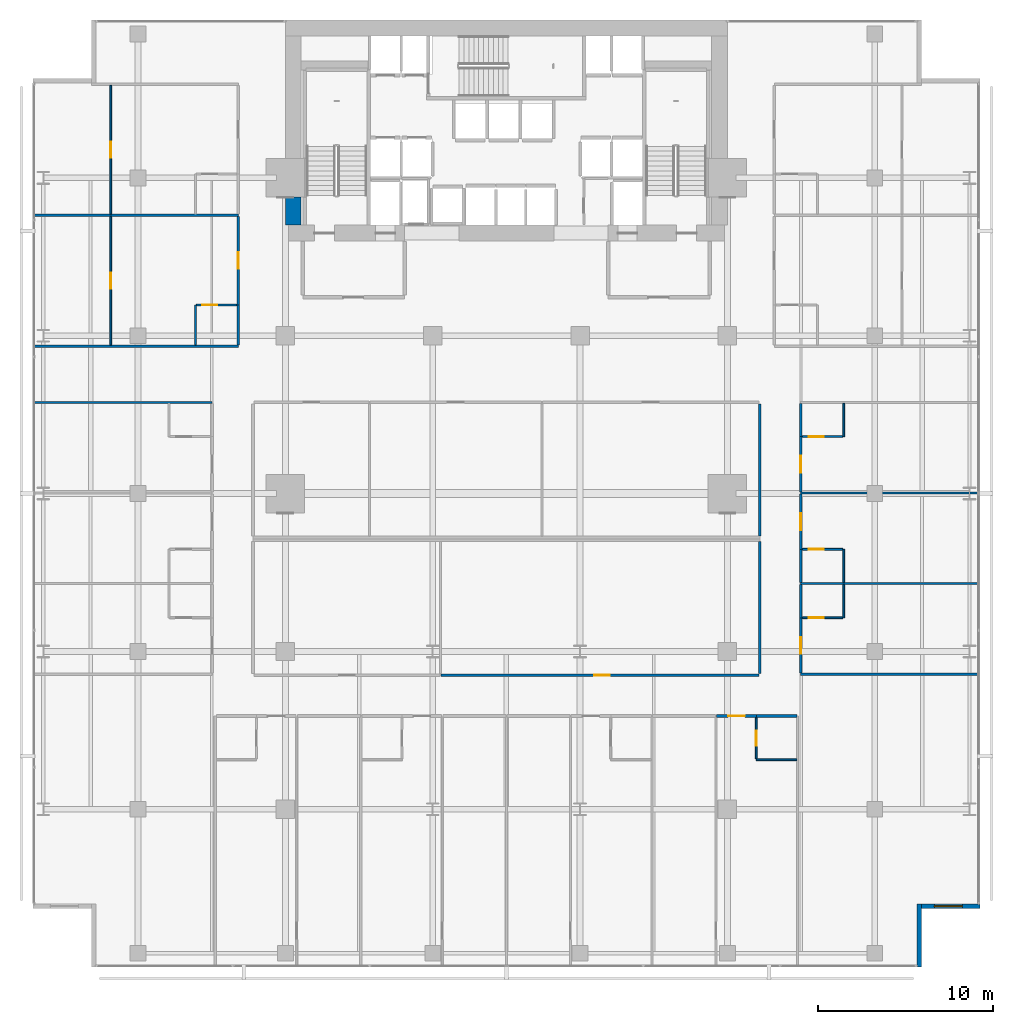
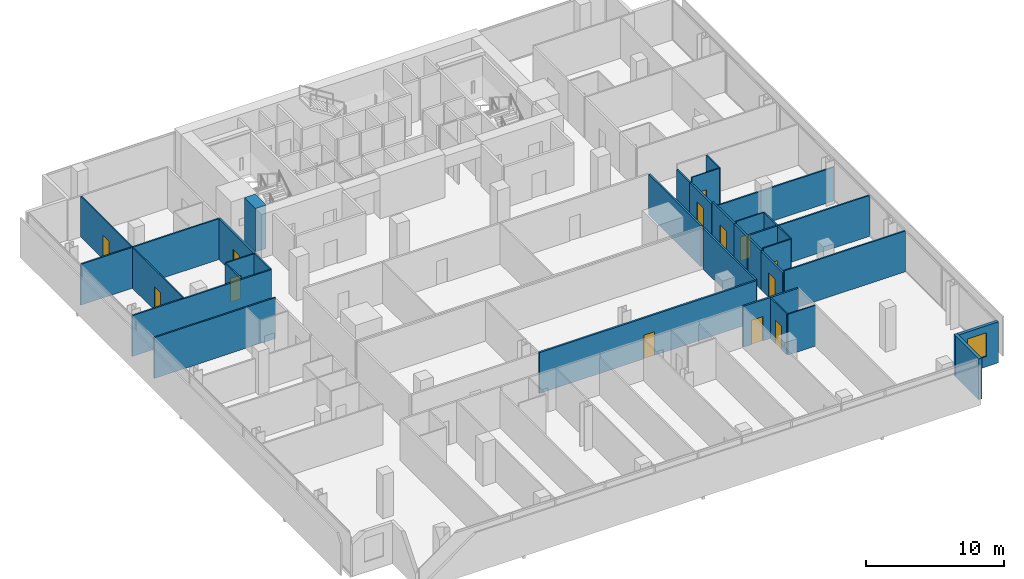
# One storey, part 34 of 39: 34 walls, 13 doors, 1 window, 14 openings.
"""IFC4 building model written with IfcOpenShell, lengths in metres."""

from ifc_helpers import new_model, si_unit, direction, frame, frame_2d, origin, place, context, subcontext, project, spatial, rectangle, extrude, material, layer, layer_set, type_object, element, fill, save


model = new_model("IFC4")

# Units and contexts
model_context = context("Model", 3, precision=1e-05, world=origin(), true_north=direction((0.0, 1.0)))
body_context = subcontext(model_context, "Body", "Model", "MODEL_VIEW")
ifc_project = project(units=[si_unit("LENGTHUNIT", "METRE"), si_unit("AREAUNIT", "SQUARE_METRE"), si_unit("VOLUMEUNIT", "CUBIC_METRE"), si_unit("PLANEANGLEUNIT", "RADIAN"), si_unit("MASSUNIT", "GRAM", prefix="KILO")], contexts=[model_context])

# Site, building, storey
site_placement = place(None, origin())
site = spatial("IfcSite", under=ifc_project, at=site_placement, CompositionType="ELEMENT")
building_placement = place(site_placement, origin())
building = spatial("IfcBuilding", under=site, at=building_placement, Name="Maruvema Waterfront Hotel and Observation Tower", CompositionType="ELEMENT")
storey_placement = place(building_placement, frame((0.0, 0.0, 46.199951171875)))
storey = spatial("IfcBuildingStorey", under=building, at=storey_placement, Name="L10", CompositionType="ELEMENT", Elevation=46.199951171875)

# Walls
ifc_material_1 = material(Name="Twin-stud acoustic gypsum drywall", Category="gypsum")
ifc_layer_1 = layer(ifc_material_1, 0.14990234375, Name="Acoustic Corridor and Suite Demising Wall 150 mm")
ifc_layer_set_1 = layer_set([ifc_layer_1], Name="Twin-stud acoustic gypsum drywall")
wall_type_1 = type_object("IfcWallType", Name="Acoustic Corridor and Suite Demising Wall 150 mm", PredefinedType="PARTITIONING", material=ifc_layer_set_1)
wall_1_placement = place(storey_placement, frame((52.25, 24.580078125, 0.0), z_axis=(0.0, 0.0, 1.0), x_axis=(0.0, 1.0, 0.0)))
element("IfcWall", 1, at=wall_1_placement, inside=storey, type_object=wall_type_1, Name="L10 L10-INTN East Wall 014", PredefinedType="PARTITIONING", context=body_context, shape_type="SweptSolid", body=[
    extrude(rectangle(XDim=7.5400390625, YDim=0.14990234375, at=frame_2d((3.77001953125, 0.0))), origin(), (0.0, 0.0, 1.0), 3.610107421875),
])
wall_2_placement = place(storey_placement, frame((52.25, 16.72998046875, 0.0), z_axis=(0.0, 0.0, 1.0), x_axis=(0.0, 1.0, 0.0)))
element("IfcWall", 2, at=wall_2_placement, inside=storey, type_object=wall_type_1, Name="L10 L10-INTS East Wall 022", PredefinedType="PARTITIONING", context=body_context, shape_type="SweptSolid", body=[
    extrude(rectangle(XDim=7.530029296875, YDim=0.14990234375, at=frame_2d((3.76513671875, 0.0))), origin(), (0.0, 0.0, 1.0), 3.610107421875),
])

# Wall, opening, door
wall_3_placement = place(storey_placement, frame((34.072998046875, 16.64990234375, 0.0), z_axis=(0.0, 0.0, 1.0), x_axis=(1.0, 0.0, 0.0)))
wall_3 = element("IfcWall", 3, at=wall_3_placement, inside=storey, type_object=wall_type_1, Name="L10 L10-INTS Front 2 025", PredefinedType="PARTITIONING", context=body_context, shape_type="SweptSolid", body=[
    extrude(rectangle(XDim=18.116943359375, YDim=0.14990234375, at=frame_2d((9.05859375, 0.0))), origin(), (0.0, 0.0, 1.0), 3.610107421875),
])
opening_1_placement = place(wall_3_placement, frame((8.728515625, 0.0, 0.0)))
opening_1 = element("IfcOpeningElement", 4, at=opening_1_placement, cuts=wall_3, Name="Opening DR-090", PredefinedType="OPENING", context=body_context, shape_type="SweptSolid", body=[
    extrude(rectangle(XDim=0.89990234375, YDim=2.10009765625, at=frame_2d((0.449951171875, 1.050048828125))), frame((0.0, 0.0849609375, 0.0), z_axis=(0.0, -1.0, 0.0), x_axis=(1.0, 0.0, 0.0)), (0.0, 0.0, 1.0), 0.169921875),
])
ifc_material_2 = material(Name="Solid-core lacquered timber leaf", Category="wood")
door_type_1 = type_object("IfcDoorType", Name="Accessible Toilet and Room Door 900x2100 mm", OperationType="NOTDEFINED", PredefinedType="DOOR", material=ifc_material_2)
door_1_placement = place(opening_1_placement, frame((0.89990234375, 0.0, 0.0), z_axis=(0.0, 0.0, 1.0), x_axis=(-1.0, 0.0, 0.0)))
door_1 = element("IfcDoor", 5, at=door_1_placement, inside=storey, type_object=door_type_1, Name="L10 Housekeeping Linen Room Door", OperationType="SINGLE_SWING_LEFT", OverallHeight=2.10009765625, OverallWidth=0.89990234375, PredefinedType="DOOR", context=body_context, shape_type="SweptSolid", body=[
    extrude(rectangle(XDim=0.89990234375, YDim=2.10009765625, at=frame_2d((0.449951171875, 1.050048828125))), frame((0.0, 0.02490234375, 0.0), z_axis=(0.0, -1.0, 0.0), x_axis=(1.0, 0.0, 0.0)), (0.0, 0.0, 1.0), 0.050048828125),
])
fill(opening_1, door_1)

# Wall
wall_4_placement = place(storey_placement, frame((52.050048828125, 14.320068359375, 0.0), z_axis=(0.0, 0.0, 1.0), x_axis=(1.0, 0.0, 0.0)))
element("IfcWall", 6, at=wall_4_placement, inside=storey, type_object=wall_type_1, Name="L10 Bath L10-S4 Back Wall 049", PredefinedType="PARTITIONING", context=body_context, shape_type="SweptSolid", body=[
    extrude(rectangle(XDim=2.329833984375, YDim=0.14990234375, at=frame_2d((1.1650390625, 0.0))), origin(), (0.0, 0.0, 1.0), 3.610107421875),
])

# Wall, opening, door
wall_5_placement = place(storey_placement, frame((49.7919921875, 14.320068359375, 0.0), z_axis=(0.0, 0.0, 1.0), x_axis=(1.0, 0.0, 0.0)))
wall_5 = element("IfcWall", 7, at=wall_5_placement, inside=storey, type_object=wall_type_1, Name="L10 Unit L10-S4 Corridor Wall 053", PredefinedType="PARTITIONING", context=body_context, shape_type="SweptSolid", body=[
    extrude(rectangle(XDim=2.258056640625, YDim=0.14990234375, at=frame_2d((1.12890625, 0.0))), origin(), (0.0, 0.0, 1.0), 3.610107421875),
])
opening_2_placement = place(wall_5_placement, frame((0.654052734375, 0.0, 0.0)))
opening_2 = element("IfcOpeningElement", 8, at=opening_2_placement, cuts=wall_5, Name="Opening DR-095", PredefinedType="OPENING", context=body_context, shape_type="SweptSolid", body=[
    extrude(rectangle(XDim=0.949951171875, YDim=2.14990234375, at=frame_2d((0.47509765625, 1.074951171875))), frame((0.0, 0.0849609375, 0.0), z_axis=(0.0, -1.0, 0.0), x_axis=(1.0, 0.0, 0.0)), (0.0, 0.0, 1.0), 0.169921875),
])
ifc_material_3 = material(Name="Acoustic solid-core hardwood timber leaf", Category="wood")
door_type_2 = type_object("IfcDoorType", Name="Guestroom Entrance Fire Door 950x2150 mm", OperationType="NOTDEFINED", PredefinedType="DOOR", material=ifc_material_3)
door_2_placement = place(opening_2_placement, frame((0.949951171875, 0.0, 0.0), z_axis=(0.0, 0.0, 1.0), x_axis=(-1.0, 0.0, 0.0)))
door_2 = element("IfcDoor", 9, at=door_2_placement, inside=storey, type_object=door_type_2, Name="L10 Unit L10-S4 Entrance Door", OperationType="SINGLE_SWING_RIGHT", OverallHeight=2.14990234375, OverallWidth=0.949951171875, PredefinedType="DOOR", context=body_context, shape_type="SweptSolid", body=[
    extrude(rectangle(XDim=0.949951171875, YDim=2.14990234375, at=frame_2d((0.47509765625, 1.074951171875))), frame((0.0, 0.02490234375, 0.0), z_axis=(0.0, -1.0, 0.0), x_axis=(1.0, 0.0, 0.0)), (0.0, 0.0, 1.0), 0.050048828125),
])
fill(opening_2, door_2)

wall_6_placement = place(storey_placement, frame((54.580078125, 16.760009765625, 0.0), z_axis=(0.0, 0.0, 1.0), x_axis=(0.0, 1.0, 0.0)))
wall_6 = element("IfcWall", 10, at=wall_6_placement, inside=storey, type_object=wall_type_1, Name="L10 Room L10-E1 Corridor Wall 063", PredefinedType="PARTITIONING", context=body_context, shape_type="SweptSolid", body=[
    extrude(rectangle(XDim=3.159912109375, YDim=0.14990234375, at=frame_2d((1.580078125, 0.0))), origin(), (0.0, 0.0, 1.0), 3.403076171875),
])
opening_3_placement = place(wall_6_placement, frame((1.10498046875, 0.0, 0.0)))
opening_3 = element("IfcOpeningElement", 11, at=opening_3_placement, cuts=wall_6, Name="Opening DR-095", PredefinedType="OPENING", context=body_context, shape_type="SweptSolid", body=[
    extrude(rectangle(XDim=0.949951171875, YDim=2.14990234375, at=frame_2d((0.47509765625, 1.074951171875))), frame((0.0, 0.0849609375, 0.0), z_axis=(0.0, -1.0, 0.0), x_axis=(1.0, 0.0, 0.0)), (0.0, 0.0, 1.0), 0.169921875),
])
door_3_placement = place(opening_3_placement, frame((0.949951171875, 0.0, 0.0), z_axis=(0.0, 0.0, 1.0), x_axis=(-1.0, 0.0, 0.0)))
door_3 = element("IfcDoor", 12, at=door_3_placement, inside=storey, type_object=door_type_2, Name="L10 Room L10-E1 Entrance Door", OperationType="SINGLE_SWING_LEFT", OverallHeight=2.14990234375, OverallWidth=0.949951171875, PredefinedType="DOOR", context=body_context, shape_type="SweptSolid", body=[
    extrude(rectangle(XDim=0.949951171875, YDim=2.14990234375, at=frame_2d((0.47509765625, 1.074951171875))), frame((0.0, 0.02490234375, 0.0), z_axis=(0.0, -1.0, 0.0), x_axis=(1.0, 0.0, 0.0)), (0.0, 0.0, 1.0), 0.050048828125),
])
fill(opening_3, door_3)

# Walls
for number, where, z_axis, x_axis, name in (
    (13, (54.580078125, 19.919921875, 0.0), (0.0, 0.0, 1.0), (0.0, 1.0, 0.0), "L10 Bath L10-E1 Wall 064"),
    (14, (54.580078125, 21.929931640625, 0.0), (0.0, 0.0, 1.0), (0.0, 1.0, 0.0), "L10 Bath L10-E2 Wall 073"),
):
    element("IfcWall", number, at=place(storey_placement, frame(where, z_axis=z_axis, x_axis=x_axis)), inside=storey, type_object=wall_type_1, Name=name, PredefinedType="PARTITIONING", context=body_context, shape_type="SweptSolid", body=[
        extrude(rectangle(XDim=1.89013671875, YDim=0.14990234375, at=frame_2d((0.945068359375, 0.0))), origin(), (0.0, 0.0, 1.0), 3.45703125),
    ])

# Wall, opening, door
wall_7_placement = place(storey_placement, frame((54.580078125, 23.820068359375, 0.0), z_axis=(0.0, 0.0, 1.0), x_axis=(0.0, 1.0, 0.0)))
wall_7 = element("IfcWall", 15, at=wall_7_placement, inside=storey, type_object=wall_type_1, Name="L10 Room L10-E2 Corridor Wall 074", PredefinedType="PARTITIONING", context=body_context, shape_type="SweptSolid", body=[
    extrude(rectangle(XDim=3.14990234375, YDim=0.14990234375, at=frame_2d((1.574951171875, 0.0))), origin(), (0.0, 0.0, 1.0), 3.45703125),
])
opening_4_placement = place(wall_7_placement, frame((1.10009765625, 0.0, 0.0)))
opening_4 = element("IfcOpeningElement", 16, at=opening_4_placement, cuts=wall_7, Name="Opening DR-095", PredefinedType="OPENING", context=body_context, shape_type="SweptSolid", body=[
    extrude(rectangle(XDim=0.949951171875, YDim=2.14990234375, at=frame_2d((0.47509765625, 1.074951171875))), frame((0.0, 0.0849609375, 0.0), z_axis=(0.0, -1.0, 0.0), x_axis=(1.0, 0.0, 0.0)), (0.0, 0.0, 1.0), 0.169921875),
])
door_4_placement = place(opening_4_placement, frame((0.949951171875, 0.0, 0.0), z_axis=(0.0, 0.0, 1.0), x_axis=(-1.0, 0.0, 0.0)))
door_4 = element("IfcDoor", 17, at=door_4_placement, inside=storey, type_object=door_type_2, Name="L10 Room L10-E2 Entrance Door", OperationType="SINGLE_SWING_LEFT", OverallHeight=2.14990234375, OverallWidth=0.949951171875, PredefinedType="DOOR", context=body_context, shape_type="SweptSolid", body=[
    extrude(rectangle(XDim=0.949951171875, YDim=2.14990234375, at=frame_2d((0.47509765625, 1.074951171875))), frame((0.0, 0.02490234375, 0.0), z_axis=(0.0, -1.0, 0.0), x_axis=(1.0, 0.0, 0.0)), (0.0, 0.0, 1.0), 0.050048828125),
])
fill(opening_4, door_4)

wall_8_placement = place(storey_placement, frame((54.580078125, 27.090087890625, 0.0), z_axis=(0.0, 0.0, 1.0), x_axis=(0.0, 1.0, 0.0)))
wall_8 = element("IfcWall", 18, at=wall_8_placement, inside=storey, type_object=wall_type_1, Name="L10 Room L10-E3 Corridor Wall 083", PredefinedType="PARTITIONING", context=body_context, shape_type="SweptSolid", body=[
    extrude(rectangle(XDim=3.159912109375, YDim=0.14990234375, at=frame_2d((1.580078125, 0.0))), origin(), (0.0, 0.0, 1.0), 3.20703125),
])
opening_5_placement = place(wall_8_placement, frame((1.10498046875, 0.0, 0.0)))
opening_5 = element("IfcOpeningElement", 19, at=opening_5_placement, cuts=wall_8, Name="Opening DR-095", PredefinedType="OPENING", context=body_context, shape_type="SweptSolid", body=[
    extrude(rectangle(XDim=0.949951171875, YDim=2.14990234375, at=frame_2d((0.47509765625, 1.074951171875))), frame((0.0, 0.0849609375, 0.0), z_axis=(0.0, -1.0, 0.0), x_axis=(1.0, 0.0, 0.0)), (0.0, 0.0, 1.0), 0.169921875),
])
door_5_placement = place(opening_5_placement, frame((0.949951171875, 0.0, 0.0), z_axis=(0.0, 0.0, 1.0), x_axis=(-1.0, 0.0, 0.0)))
door_5 = element("IfcDoor", 20, at=door_5_placement, inside=storey, type_object=door_type_2, Name="L10 Room L10-E3 Entrance Door", OperationType="SINGLE_SWING_LEFT", OverallHeight=2.14990234375, OverallWidth=0.949951171875, PredefinedType="DOOR", context=body_context, shape_type="SweptSolid", body=[
    extrude(rectangle(XDim=0.949951171875, YDim=2.14990234375, at=frame_2d((0.47509765625, 1.074951171875))), frame((0.0, 0.02490234375, 0.0), z_axis=(0.0, -1.0, 0.0), x_axis=(1.0, 0.0, 0.0)), (0.0, 0.0, 1.0), 0.050048828125),
])
fill(opening_5, door_5)

# Walls
wall_9_placement = place(storey_placement, frame((54.580078125, 30.25, 0.0), z_axis=(0.0, 0.0, 1.0), x_axis=(0.0, 1.0, 0.0)))
element("IfcWall", 21, at=wall_9_placement, inside=storey, type_object=wall_type_1, Name="L10 Bath L10-E3 Wall 084", PredefinedType="PARTITIONING", context=body_context, shape_type="SweptSolid", body=[
    extrude(rectangle(XDim=1.889892578125, YDim=0.14990234375, at=frame_2d((0.94482421875, 0.0))), origin(), (0.0, 0.0, 1.0), 3.20703125),
])
wall_10_placement = place(storey_placement, frame((22.52001953125, 35.4599609375, 0.0), z_axis=(0.0, 0.0, 1.0), x_axis=(0.0, 1.0, 0.0)))
element("IfcWall", 22, at=wall_10_placement, inside=storey, type_object=wall_type_1, Name="L10 Bath L10-NW1 Wall 091", PredefinedType="PARTITIONING", context=body_context, shape_type="SweptSolid", body=[
    extrude(rectangle(XDim=2.2900390625, YDim=0.14990234375, at=frame_2d((1.14501953125, 0.0))), origin(), (0.0, 0.0, 1.0), 3.610107421875),
])

# Wall, opening, door
wall_11_placement = place(storey_placement, frame((22.52001953125, 37.75, 0.0), z_axis=(0.0, 0.0, 1.0), x_axis=(0.0, 1.0, 0.0)))
wall_11 = element("IfcWall", 23, at=wall_11_placement, inside=storey, type_object=wall_type_1, Name="L10 Room L10-NW1 Corridor Wall 092", PredefinedType="PARTITIONING", context=body_context, shape_type="SweptSolid", body=[
    extrude(rectangle(XDim=5.05859375, YDim=0.14990234375, at=frame_2d((2.529296875, 0.0))), origin(), (0.0, 0.0, 1.0), 3.610107421875),
])
opening_6_placement = place(wall_11_placement, frame((2.054443359375, 0.0, 0.0)))
opening_6 = element("IfcOpeningElement", 24, at=opening_6_placement, cuts=wall_11, Name="Opening DR-095", PredefinedType="OPENING", context=body_context, shape_type="SweptSolid", body=[
    extrude(rectangle(XDim=0.949951171875, YDim=2.14990234375, at=frame_2d((0.47509765625, 1.074951171875))), frame((0.0, 0.0849609375, 0.0), z_axis=(0.0, -1.0, 0.0), x_axis=(1.0, 0.0, 0.0)), (0.0, 0.0, 1.0), 0.169921875),
])
door_6_placement = place(opening_6_placement, origin())
door_6 = element("IfcDoor", 25, at=door_6_placement, inside=storey, type_object=door_type_2, Name="L10 Room L10-NW1 Entrance Door", OperationType="SINGLE_SWING_LEFT", OverallHeight=2.14990234375, OverallWidth=0.949951171875, PredefinedType="DOOR", context=body_context, shape_type="SweptSolid", body=[
    extrude(rectangle(XDim=0.949951171875, YDim=2.14990234375, at=frame_2d((0.47509765625, 1.074951171875))), frame((0.0, 0.02490234375, 0.0), z_axis=(0.0, -1.0, 0.0), x_axis=(1.0, 0.0, 0.0)), (0.0, 0.0, 1.0), 0.050048828125),
])
fill(opening_6, door_6)

# Walls
ifc_material_4 = material(Name="Concrete C80/95", Category="concrete")
ifc_layer_2 = layer(ifc_material_4, 0.89990234375, Name="Core Shear Wall 900 mm")
ifc_layer_set_2 = layer_set([ifc_layer_2], Name="Concrete C80/95")
wall_type_2 = type_object("IfcWallType", Name="Core Shear Wall 900 mm", PredefinedType="SHEAR", material=ifc_layer_set_2)
wall_12_placement = place(storey_placement, frame((25.64990234375, 42.300048828125, 0.0), z_axis=(0.0, 0.0, 1.0), x_axis=(0.0, 1.0, 0.0)))
element("IfcWall", 26, at=wall_12_placement, inside=storey, type_object=wall_type_2, Name="L10 West-South Core Shear Wall", PredefinedType="SHEAR", context=body_context, shape_type="SweptSolid", body=[
    extrude(rectangle(XDim=1.599853515625, YDim=0.89990234375, at=frame_2d((0.7998046875, 0.0))), origin(), (0.0, 0.0, 1.0), 3.85009765625),
])
ifc_material_5 = material(Name="Moisture-resistant cement-board drywall", Category="gypsum")
ifc_layer_3 = layer(ifc_material_5, 0.10009765625, Name="En-Suite Moisture-Resistant Partition 100 mm")
ifc_layer_set_3 = layer_set([ifc_layer_3], Name="Moisture-resistant cement-board drywall")
wall_type_3 = type_object("IfcWallType", Name="En-Suite Moisture-Resistant Partition 100 mm", PredefinedType="PARTITIONING", material=ifc_layer_set_3)
wall_13_placement = place(storey_placement, frame((52.050048828125, 11.820068359375, 0.0), z_axis=(0.0, 0.0, 1.0), x_axis=(1.0, 0.0, 0.0)))
element("IfcWall", 27, at=wall_13_placement, inside=storey, type_object=wall_type_3, Name="L10 En-Suite L10-S4 South 050", PredefinedType="PARTITIONING", context=body_context, shape_type="SweptSolid", body=[
    extrude(rectangle(XDim=2.31005859375, YDim=0.10009765625, at=frame_2d((1.155029296875, 0.0))), origin(), (0.0, 0.0, 1.0), 3.610107421875),
])

# Wall, opening, door
wall_14_placement = place(storey_placement, frame((52.050048828125, 11.8798828125, 0.0), z_axis=(0.0, 0.0, 1.0), x_axis=(0.0, 1.0, 0.0)))
wall_14 = element("IfcWall", 28, at=wall_14_placement, inside=storey, type_object=wall_type_3, Name="L10 En-Suite L10-S4 West 051", PredefinedType="PARTITIONING", context=body_context, shape_type="SweptSolid", body=[
    extrude(rectangle(XDim=2.340087890625, YDim=0.10009765625, at=frame_2d((1.169921875, 0.0))), origin(), (0.0, 0.0, 1.0), 3.610107421875),
])
opening_7_placement = place(wall_14_placement, frame((0.7451171875, 0.0, 0.0)))
opening_7 = element("IfcOpeningElement", 29, at=opening_7_placement, cuts=wall_14, Name="Opening DR-085", PredefinedType="OPENING", context=body_context, shape_type="SweptSolid", body=[
    extrude(rectangle(XDim=0.85009765625, YDim=2.10009765625, at=frame_2d((0.425048828125, 1.050048828125))), frame((0.0, 0.06005859375, 0.0), z_axis=(0.0, -1.0, 0.0), x_axis=(1.0, 0.0, 0.0)), (0.0, 0.0, 1.0), 0.1201171875),
])
ifc_material_6 = material(Name="Moisture-resistant solid timber leaf", Category="wood")
door_type_3 = type_object("IfcDoorType", Name="En-Suite Bathroom Door 850x2100 mm", OperationType="NOTDEFINED", PredefinedType="DOOR", material=ifc_material_6)
door_7_placement = place(opening_7_placement, origin())
door_7 = element("IfcDoor", 30, at=door_7_placement, inside=storey, type_object=door_type_3, Name="L10 En-Suite L10-S4 Door", OperationType="SINGLE_SWING_LEFT", OverallHeight=2.10009765625, OverallWidth=0.85009765625, PredefinedType="DOOR", context=body_context, shape_type="SweptSolid", body=[
    extrude(rectangle(XDim=0.85009765625, YDim=2.10009765625, at=frame_2d((0.425048828125, 1.050048828125))), frame((0.0, 0.02490234375, 0.0), z_axis=(0.0, -1.0, 0.0), x_axis=(1.0, 0.0, 0.0)), (0.0, 0.0, 1.0), 0.050048828125),
])
fill(opening_7, door_7)

# Wall
wall_15_placement = place(storey_placement, frame((57.030029296875, 19.919921875, 0.0), z_axis=(0.0, 0.0, 1.0), x_axis=(0.0, 1.0, 0.0)))
element("IfcWall", 31, at=wall_15_placement, inside=storey, type_object=wall_type_3, Name="L10 En-Suite L10-E1 E 065", PredefinedType="PARTITIONING", context=body_context, shape_type="SweptSolid", body=[
    extrude(rectangle(XDim=1.89013671875, YDim=0.10009765625, at=frame_2d((0.945068359375, 0.0))), origin(), (0.0, 0.0, 1.0), 3.610107421875),
])

# Wall, opening, door
wall_16_placement = place(storey_placement, frame((54.679931640625, 19.919921875, 0.0), z_axis=(0.0, 0.0, 1.0), x_axis=(1.0, 0.0, 0.0)))
wall_16 = element("IfcWall", 32, at=wall_16_placement, inside=storey, type_object=wall_type_3, Name="L10 En-Suite L10-E1 S 066", PredefinedType="PARTITIONING", context=body_context, shape_type="SweptSolid", body=[
    extrude(rectangle(XDim=2.300048828125, YDim=0.10009765625, at=frame_2d((1.14990234375, 0.0))), origin(), (0.0, 0.0, 1.0), 3.610107421875),
])
opening_8_placement = place(wall_16_placement, frame((0.35009765625, 0.0, 0.0)))
opening_8 = element("IfcOpeningElement", 33, at=opening_8_placement, cuts=wall_16, Name="Opening DR-085", PredefinedType="OPENING", context=body_context, shape_type="SweptSolid", body=[
    extrude(rectangle(XDim=0.85009765625, YDim=2.10009765625, at=frame_2d((0.425048828125, 1.050048828125))), frame((0.0, 0.06005859375, 0.0), z_axis=(0.0, -1.0, 0.0), x_axis=(1.0, 0.0, 0.0)), (0.0, 0.0, 1.0), 0.1201171875),
])
door_8_placement = place(opening_8_placement, frame((0.85009765625, 0.0, 0.0), z_axis=(0.0, 0.0, 1.0), x_axis=(-1.0, 0.0, 0.0)))
door_8 = element("IfcDoor", 34, at=door_8_placement, inside=storey, type_object=door_type_3, Name="L10 En-Suite L10-E1 Door", OperationType="SINGLE_SWING_RIGHT", OverallHeight=2.10009765625, OverallWidth=0.85009765625, PredefinedType="DOOR", context=body_context, shape_type="SweptSolid", body=[
    extrude(rectangle(XDim=0.85009765625, YDim=2.10009765625, at=frame_2d((0.425048828125, 1.050048828125))), frame((0.0, 0.02490234375, 0.0), z_axis=(0.0, -1.0, 0.0), x_axis=(1.0, 0.0, 0.0)), (0.0, 0.0, 1.0), 0.050048828125),
])
fill(opening_8, door_8)

# Wall
wall_17_placement = place(storey_placement, frame((57.030029296875, 21.929931640625, 0.0), z_axis=(0.0, 0.0, 1.0), x_axis=(0.0, 1.0, 0.0)))
element("IfcWall", 35, at=wall_17_placement, inside=storey, type_object=wall_type_3, Name="L10 En-Suite L10-E2 E 075", PredefinedType="PARTITIONING", context=body_context, shape_type="SweptSolid", body=[
    extrude(rectangle(XDim=1.89013671875, YDim=0.10009765625, at=frame_2d((0.945068359375, 0.0))), origin(), (0.0, 0.0, 1.0), 3.610107421875),
])

# Wall, opening, door
wall_18_placement = place(storey_placement, frame((54.679931640625, 23.820068359375, 0.0), z_axis=(0.0, 0.0, 1.0), x_axis=(1.0, 0.0, 0.0)))
wall_18 = element("IfcWall", 36, at=wall_18_placement, inside=storey, type_object=wall_type_3, Name="L10 En-Suite L10-E2 N 076", PredefinedType="PARTITIONING", context=body_context, shape_type="SweptSolid", body=[
    extrude(rectangle(XDim=2.300048828125, YDim=0.10009765625, at=frame_2d((1.14990234375, 0.0))), origin(), (0.0, 0.0, 1.0), 3.610107421875),
])
opening_9_placement = place(wall_18_placement, frame((0.35009765625, 0.0, 0.0)))
opening_9 = element("IfcOpeningElement", 37, at=opening_9_placement, cuts=wall_18, Name="Opening DR-085", PredefinedType="OPENING", context=body_context, shape_type="SweptSolid", body=[
    extrude(rectangle(XDim=0.85009765625, YDim=2.10009765625, at=frame_2d((0.425048828125, 1.050048828125))), frame((0.0, 0.06005859375, 0.0), z_axis=(0.0, -1.0, 0.0), x_axis=(1.0, 0.0, 0.0)), (0.0, 0.0, 1.0), 0.1201171875),
])
door_9_placement = place(opening_9_placement, origin())
door_9 = element("IfcDoor", 38, at=door_9_placement, inside=storey, type_object=door_type_3, Name="L10 En-Suite L10-E2 Door", OperationType="SINGLE_SWING_RIGHT", OverallHeight=2.10009765625, OverallWidth=0.85009765625, PredefinedType="DOOR", context=body_context, shape_type="SweptSolid", body=[
    extrude(rectangle(XDim=0.85009765625, YDim=2.10009765625, at=frame_2d((0.425048828125, 1.050048828125))), frame((0.0, 0.02490234375, 0.0), z_axis=(0.0, -1.0, 0.0), x_axis=(1.0, 0.0, 0.0)), (0.0, 0.0, 1.0), 0.050048828125),
])
fill(opening_9, door_9)

# Wall
wall_19_placement = place(storey_placement, frame((57.030029296875, 30.25, 0.0), z_axis=(0.0, 0.0, 1.0), x_axis=(0.0, 1.0, 0.0)))
element("IfcWall", 39, at=wall_19_placement, inside=storey, type_object=wall_type_3, Name="L10 En-Suite L10-E3 E 085", PredefinedType="PARTITIONING", context=body_context, shape_type="SweptSolid", body=[
    extrude(rectangle(XDim=1.889892578125, YDim=0.10009765625, at=frame_2d((0.94482421875, 0.0))), origin(), (0.0, 0.0, 1.0), 3.610107421875),
])

# Wall, opening, door
wall_20_placement = place(storey_placement, frame((54.679931640625, 30.25, 0.0), z_axis=(0.0, 0.0, 1.0), x_axis=(1.0, 0.0, 0.0)))
wall_20 = element("IfcWall", 40, at=wall_20_placement, inside=storey, type_object=wall_type_3, Name="L10 En-Suite L10-E3 S 086", PredefinedType="PARTITIONING", context=body_context, shape_type="SweptSolid", body=[
    extrude(rectangle(XDim=2.300048828125, YDim=0.10009765625, at=frame_2d((1.14990234375, 0.0))), origin(), (0.0, 0.0, 1.0), 3.610107421875),
])
opening_10_placement = place(wall_20_placement, frame((0.35009765625, 0.0, 0.0)))
opening_10 = element("IfcOpeningElement", 41, at=opening_10_placement, cuts=wall_20, Name="Opening DR-085", PredefinedType="OPENING", context=body_context, shape_type="SweptSolid", body=[
    extrude(rectangle(XDim=0.85009765625, YDim=2.10009765625, at=frame_2d((0.425048828125, 1.050048828125))), frame((0.0, 0.06005859375, 0.0), z_axis=(0.0, -1.0, 0.0), x_axis=(1.0, 0.0, 0.0)), (0.0, 0.0, 1.0), 0.1201171875),
])
door_10_placement = place(opening_10_placement, frame((0.85009765625, 0.0, 0.0), z_axis=(0.0, 0.0, 1.0), x_axis=(-1.0, 0.0, 0.0)))
door_10 = element("IfcDoor", 42, at=door_10_placement, inside=storey, type_object=door_type_3, Name="L10 En-Suite L10-E3 Door", OperationType="SINGLE_SWING_RIGHT", OverallHeight=2.10009765625, OverallWidth=0.85009765625, PredefinedType="DOOR", context=body_context, shape_type="SweptSolid", body=[
    extrude(rectangle(XDim=0.85009765625, YDim=2.10009765625, at=frame_2d((0.425048828125, 1.050048828125))), frame((0.0, 0.02490234375, 0.0), z_axis=(0.0, -1.0, 0.0), x_axis=(1.0, 0.0, 0.0)), (0.0, 0.0, 1.0), 0.050048828125),
])
fill(opening_10, door_10)

# Wall
wall_21_placement = place(storey_placement, frame((20.070068359375, 35.4599609375, 0.0), z_axis=(0.0, 0.0, 1.0), x_axis=(0.0, 1.0, 0.0)))
element("IfcWall", 43, at=wall_21_placement, inside=storey, type_object=wall_type_3, Name="L10 En-Suite L10-NW1 W 093", PredefinedType="PARTITIONING", context=body_context, shape_type="SweptSolid", body=[
    extrude(rectangle(XDim=2.2900390625, YDim=0.10009765625, at=frame_2d((1.14501953125, 0.0))), origin(), (0.0, 0.0, 1.0), 3.610107421875),
])

# Wall, opening, door
wall_22_placement = place(storey_placement, frame((20.1201171875, 37.75, 0.0), z_axis=(0.0, 0.0, 1.0), x_axis=(1.0, 0.0, 0.0)))
wall_22 = element("IfcWall", 44, at=wall_22_placement, inside=storey, type_object=wall_type_3, Name="L10 En-Suite L10-NW1 N 094", PredefinedType="PARTITIONING", context=body_context, shape_type="SweptSolid", body=[
    extrude(rectangle(XDim=2.2998046875, YDim=0.10009765625, at=frame_2d((1.14990234375, 0.0))), origin(), (0.0, 0.0, 1.0), 3.610107421875),
])
opening_11_placement = place(wall_22_placement, frame((0.35009765625, 0.0, 0.0)))
opening_11 = element("IfcOpeningElement", 45, at=opening_11_placement, cuts=wall_22, Name="Opening DR-085", PredefinedType="OPENING", context=body_context, shape_type="SweptSolid", body=[
    extrude(rectangle(XDim=0.85009765625, YDim=2.10009765625, at=frame_2d((0.425048828125, 1.050048828125))), frame((0.0, 0.06005859375, 0.0), z_axis=(0.0, -1.0, 0.0), x_axis=(1.0, 0.0, 0.0)), (0.0, 0.0, 1.0), 0.1201171875),
])
door_11_placement = place(opening_11_placement, origin())
door_11 = element("IfcDoor", 46, at=door_11_placement, inside=storey, type_object=door_type_3, Name="L10 En-Suite L10-NW1 Door", OperationType="SINGLE_SWING_RIGHT", OverallHeight=2.10009765625, OverallWidth=0.85009765625, PredefinedType="DOOR", context=body_context, shape_type="SweptSolid", body=[
    extrude(rectangle(XDim=0.85009765625, YDim=2.10009765625, at=frame_2d((0.425048828125, 1.050048828125))), frame((0.0, 0.02490234375, 0.0), z_axis=(0.0, -1.0, 0.0), x_axis=(1.0, 0.0, 0.0)), (0.0, 0.0, 1.0), 0.050048828125),
])
fill(opening_11, door_11)

wall_23_placement = place(storey_placement, frame((15.24951171875, 35.4599609375, 0.0), z_axis=(0.0, 0.0, 1.0), x_axis=(0.0, 1.0, 0.0)))
wall_23 = element("IfcWall", 47, at=wall_23_placement, inside=storey, type_object=wall_type_3, Name="L10 Suite L10-NW1 Split 095", PredefinedType="PARTITIONING", context=body_context, shape_type="SweptSolid", body=[
    extrude(rectangle(XDim=7.3486328125, YDim=0.10009765625, at=frame_2d((3.67431640625, 0.0))), origin(), (0.0, 0.0, 1.0), 3.610107421875),
])
opening_12_placement = place(wall_23_placement, frame((3.224365234375, 0.0, 0.0)))
opening_12 = element("IfcOpeningElement", 48, at=opening_12_placement, cuts=wall_23, Name="Opening DR-090", PredefinedType="OPENING", context=body_context, shape_type="SweptSolid", body=[
    extrude(rectangle(XDim=0.89990234375, YDim=2.10009765625, at=frame_2d((0.449951171875, 1.050048828125))), frame((0.0, 0.06005859375, 0.0), z_axis=(0.0, -1.0, 0.0), x_axis=(1.0, 0.0, 0.0)), (0.0, 0.0, 1.0), 0.1201171875),
])
door_12_placement = place(opening_12_placement, origin())
door_12 = element("IfcDoor", 49, at=door_12_placement, inside=storey, type_object=door_type_1, Name="L10 Suite L10-NW1 Bedroom Door", OperationType="SINGLE_SWING_RIGHT", OverallHeight=2.10009765625, OverallWidth=0.89990234375, PredefinedType="DOOR", context=body_context, shape_type="SweptSolid", body=[
    extrude(rectangle(XDim=0.89990234375, YDim=2.10009765625, at=frame_2d((0.449951171875, 1.050048828125))), frame((0.0, 0.02490234375, 0.0), z_axis=(0.0, -1.0, 0.0), x_axis=(1.0, 0.0, 0.0)), (0.0, 0.0, 1.0), 0.050048828125),
])
fill(opening_12, door_12)

wall_24_placement = place(storey_placement, frame((15.24951171875, 42.9287109375, 0.0), z_axis=(0.0, 0.0, 1.0), x_axis=(0.0, 1.0, 0.0)))
wall_24 = element("IfcWall", 50, at=wall_24_placement, inside=storey, type_object=wall_type_3, Name="L10 Suite L10-NW2 Split 107", PredefinedType="PARTITIONING", context=body_context, shape_type="SweptSolid", body=[
    extrude(rectangle(XDim=7.348876953125, YDim=0.10009765625, at=frame_2d((3.67431640625, 0.0))), origin(), (0.0, 0.0, 1.0), 3.610107421875),
])
opening_13_placement = place(wall_24_placement, frame((3.224365234375, 0.0, 0.0)))
opening_13 = element("IfcOpeningElement", 51, at=opening_13_placement, cuts=wall_24, Name="Opening DR-090", PredefinedType="OPENING", context=body_context, shape_type="SweptSolid", body=[
    extrude(rectangle(XDim=0.89990234375, YDim=2.10009765625, at=frame_2d((0.449951171875, 1.050048828125))), frame((0.0, 0.06005859375, 0.0), z_axis=(0.0, -1.0, 0.0), x_axis=(1.0, 0.0, 0.0)), (0.0, 0.0, 1.0), 0.1201171875),
])
door_13_placement = place(opening_13_placement, origin())
door_13 = element("IfcDoor", 52, at=door_13_placement, inside=storey, type_object=door_type_1, Name="L10 Suite L10-NW2 Bedroom Door", OperationType="SINGLE_SWING_RIGHT", OverallHeight=2.10009765625, OverallWidth=0.89990234375, PredefinedType="DOOR", context=body_context, shape_type="SweptSolid", body=[
    extrude(rectangle(XDim=0.89990234375, YDim=2.10009765625, at=frame_2d((0.449951171875, 1.050048828125))), frame((0.0, 0.02490234375, 0.0), z_axis=(0.0, -1.0, 0.0), x_axis=(1.0, 0.0, 0.0)), (0.0, 0.0, 1.0), 0.050048828125),
])
fill(opening_13, door_13)

# Wall
ifc_material_7 = material(Name="Precast concrete C45/55 with honed Pernambuco granite facing", Category="masonry")
ifc_layer_4 = layer(ifc_material_7, 0.260009765625, Name="Exterior Granite Clad Spandrel and Pier Wall 260 mm")
ifc_layer_set_4 = layer_set([ifc_layer_4], Name="Precast concrete C45/55 with honed Pernambuco granite facing")
wall_type_4 = type_object("IfcWallType", Name="Exterior Granite Clad Spandrel and Pier Wall 260 mm", PredefinedType="SOLIDWALL", material=ifc_layer_set_4)
wall_25_placement = place(storey_placement, frame((61.330078125, 3.60009765625, 0.0), z_axis=(0.0, 0.0, 1.0), x_axis=(0.0, -1.0, 0.0)))
element("IfcWall", 53, at=wall_25_placement, inside=storey, type_object=wall_type_4, Name="L10 Corner Notch Granite Pier Wall SE1", PredefinedType="SOLIDWALL", context=body_context, shape_type="SweptSolid", body=[
    extrude(rectangle(XDim=3.60009765625, YDim=0.260009765625, at=frame_2d((1.800048828125, 0.0))), origin(), (0.0, 0.0, 1.0), 3.610107421875),
])

# Wall, opening, window
wall_26_placement = place(storey_placement, frame((64.800048828125, 3.469970703125, 0.0), z_axis=(0.0, 0.0, 1.0), x_axis=(-1.0, 0.0, 0.0)))
wall_26 = element("IfcWall", 54, at=wall_26_placement, inside=storey, type_object=wall_type_4, Name="L10 Corner Notch Granite Pier Wall SE2", PredefinedType="SOLIDWALL", context=body_context, shape_type="SweptSolid", body=[
    extrude(rectangle(XDim=3.60009765625, YDim=0.260009765625, at=frame_2d((1.800048828125, 0.0))), origin(), (0.0, 0.0, 1.0), 3.610107421875),
])
opening_14_placement = place(wall_26_placement, frame((1.0, 0.0, 0.89990234375)))
opening_14 = element("IfcOpeningElement", 55, at=opening_14_placement, cuts=wall_26, Name="Opening WN-01", PredefinedType="OPENING", context=body_context, shape_type="SweptSolid", body=[
    extrude(rectangle(XDim=1.60009765625, YDim=2.10009765625, at=frame_2d((0.800048828125, 1.050048828125))), frame((0.0, 0.14013671875, 0.0), z_axis=(0.0, -1.0, 0.0), x_axis=(1.0, 0.0, 0.0)), (0.0, 0.0, 1.0), 0.280029296875),
])
ifc_material_8 = material(Name="Anodised bronze aluminium frame with laminated low-E glass", Category="aluminium")
window_type = type_object("IfcWindowType", Name="Corner Notch Feature Window 1600x2100 mm", PartitioningType="SINGLE_PANEL", PredefinedType="WINDOW", material=ifc_material_8)
window_placement = place(opening_14_placement, origin())
window = element("IfcWindow", 56, at=window_placement, inside=storey, type_object=window_type, Name="L10 Corner Notch Punched Window SE2", OverallHeight=2.10009765625, OverallWidth=1.60009765625, PartitioningType="SINGLE_PANEL", PredefinedType="WINDOW", context=body_context, shape_type="SweptSolid", body=[
    extrude(rectangle(XDim=1.60009765625, YDim=2.10009765625, at=frame_2d((0.800048828125, 1.050048828125))), frame((0.0, 0.030029296875, 0.0), z_axis=(0.0, -1.0, 0.0), x_axis=(1.0, 0.0, 0.0)), (0.0, 0.0, 1.0), 0.06005859375),
])
fill(opening_14, window)

# Walls
ifc_material_9 = material(Name="Acoustic gypsum plasterboard drywall", Category="gypsum")
ifc_layer_5 = layer(ifc_material_9, 0.125, Name="Guestroom Acoustic Demising Wall 125 mm")
ifc_layer_set_5 = layer_set([ifc_layer_5], Name="Acoustic gypsum plasterboard drywall")
wall_type_5 = type_object("IfcWallType", Name="Guestroom Acoustic Demising Wall 125 mm", PredefinedType="PARTITIONING", material=ifc_layer_set_5)
wall_27_placement = place(storey_placement, frame((54.580078125, 16.699951171875, 0.0), z_axis=(0.0, 0.0, 1.0), x_axis=(1.0, 0.0, 0.0)))
element("IfcWall", 57, at=wall_27_placement, inside=storey, type_object=wall_type_5, Name="L10 E Bot End 056", PredefinedType="PARTITIONING", context=body_context, shape_type="SweptSolid", body=[
    extrude(rectangle(XDim=10.119873046875, YDim=0.125, at=frame_2d((5.06005859375, 0.0))), origin(), (0.0, 0.0, 1.0), 3.610107421875),
])
wall_28_placement = place(storey_placement, frame((10.89990234375, 32.199951171875, 0.0), z_axis=(0.0, 0.0, 1.0), x_axis=(1.0, 0.0, 0.0)))
element("IfcWall", 58, at=wall_28_placement, inside=storey, type_object=wall_type_5, Name="L10 W Top End 057", PredefinedType="PARTITIONING", context=body_context, shape_type="SweptSolid", body=[
    extrude(rectangle(XDim=10.1201171875, YDim=0.125, at=frame_2d((5.06005859375, 0.0))), origin(), (0.0, 0.0, 1.0), 3.610107421875),
])
wall_29_placement = place(storey_placement, frame((54.580078125, 21.8701171875, 0.0), z_axis=(0.0, 0.0, 1.0), x_axis=(1.0, 0.0, 0.0)))
element("IfcWall", 59, at=wall_29_placement, inside=storey, type_object=wall_type_5, Name="L10 E Demising 2 068", PredefinedType="PARTITIONING", context=body_context, shape_type="SweptSolid", body=[
    extrude(rectangle(XDim=10.119873046875, YDim=0.125, at=frame_2d((5.06005859375, 0.0))), origin(), (0.0, 0.0, 1.0), 3.610107421875),
])
wall_30_placement = place(storey_placement, frame((54.580078125, 27.030029296875, 0.0), z_axis=(0.0, 0.0, 1.0), x_axis=(1.0, 0.0, 0.0)))
element("IfcWall", 60, at=wall_30_placement, inside=storey, type_object=wall_type_5, Name="L10 E Demising 3 078", PredefinedType="PARTITIONING", context=body_context, shape_type="SweptSolid", body=[
    extrude(rectangle(XDim=10.119873046875, YDim=0.125, at=frame_2d((5.06005859375, 0.0))), origin(), (0.0, 0.0, 1.0), 2.988037109375),
])
for number, where, z_axis, x_axis, name in (
    (61, (10.89990234375, 35.39990234375, 0.0), (0.0, 0.0, 1.0), (1.0, 0.0, 0.0), "L10 NW Bot End 087"),
    (62, (10.89990234375, 42.86865234375, 0.0), (0.0, 0.0, 1.0), (1.0, 0.0, 0.0), "L10 NW Demising 2 101"),
):
    element("IfcWall", number, at=place(storey_placement, frame(where, z_axis=z_axis, x_axis=x_axis)), inside=storey, type_object=wall_type_5, Name=name, PredefinedType="PARTITIONING", context=body_context, shape_type="SweptSolid", body=[
        extrude(rectangle(XDim=11.6201171875, YDim=0.125, at=frame_2d((5.81005859375, 0.0))), origin(), (0.0, 0.0, 1.0), 3.610107421875),
    ])

save(model, "model.ifc")
